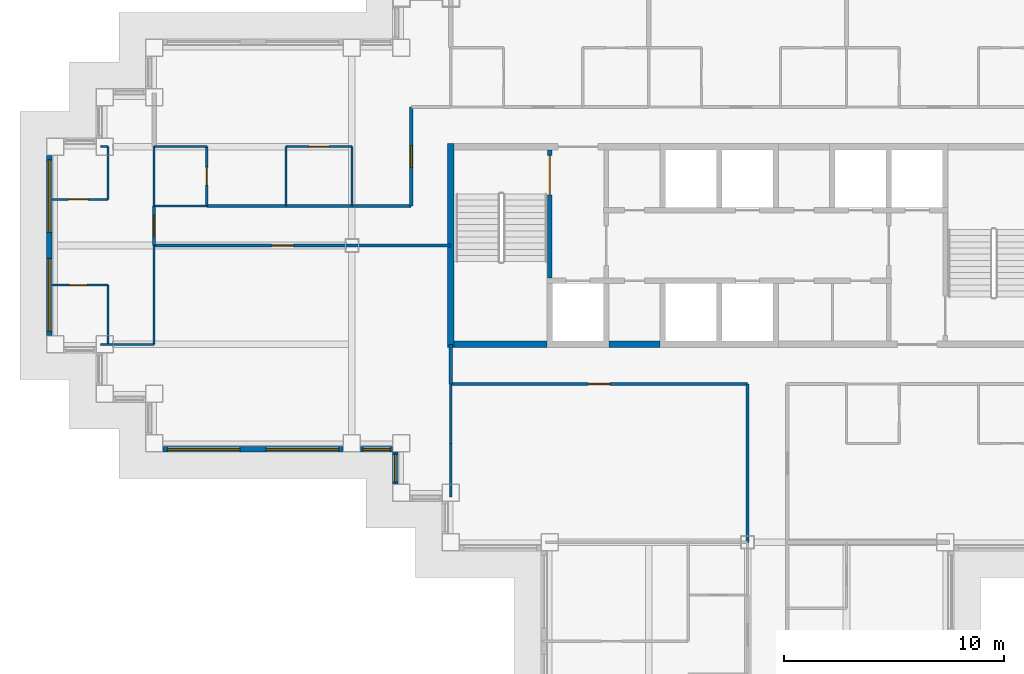
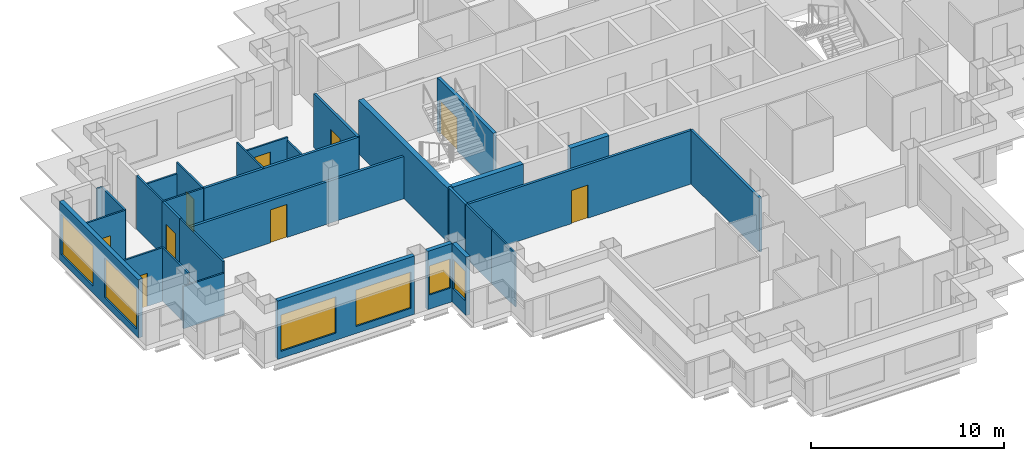
# One storey, part 4 of 13: 31 walls, 9 doors, 6 windows, 15 openings.
"""IFC4 building model written with IfcOpenShell, lengths in metres."""

from ifc_helpers import new_model, si_unit, direction, frame, frame_2d, origin, place, context, subcontext, project, spatial, rectangle, extrude, material, layer, layer_set, type_object, element, fill, save


model = new_model("IFC4")

# Units and contexts
model_context = context("Model", 3, precision=1e-05, world=origin(), true_north=direction((0.0, 1.0)))
body_context = subcontext(model_context, "Body", "Model", "MODEL_VIEW")
ifc_project = project(units=[si_unit("LENGTHUNIT", "METRE"), si_unit("AREAUNIT", "SQUARE_METRE"), si_unit("VOLUMEUNIT", "CUBIC_METRE"), si_unit("PLANEANGLEUNIT", "RADIAN"), si_unit("MASSUNIT", "GRAM", prefix="KILO")], contexts=[model_context])

# Site, building, storey
site_placement = place(None, origin())
site = spatial("IfcSite", under=ifc_project, at=site_placement, CompositionType="ELEMENT")
building_placement = place(site_placement, origin())
building = spatial("IfcBuilding", under=site, at=building_placement, Name="Caravel Reach Hotel and Residences", CompositionType="ELEMENT")
storey_placement = place(building_placement, frame((0.0, 0.0, 154.300048828125)))
storey = spatial("IfcBuildingStorey", under=building, at=storey_placement, Name="L38", CompositionType="ELEMENT", Elevation=154.300048828125)

# Wall, opening, door
ifc_material_1 = material(Name="Gypsum board on steel stud", Category="steel")
ifc_layer_1 = layer(ifc_material_1, 0.10009765625)
ifc_layer_set_1 = layer_set([ifc_layer_1], Name="Bathroom pod wall 100 mm")
wall_type_1 = type_object("IfcWallType", Name="Bathroom pod wall 100 mm", PredefinedType="PARTITIONING", material=ifc_layer_set_1)
wall_1_placement = place(storey_placement, frame((-0.14990234375, 25.199951171875, 0.0), z_axis=(0.0, 0.0, 1.0), x_axis=(1.0, 0.0, 0.0)))
wall_1 = element("IfcWall", 1, at=wall_1_placement, inside=storey, type_object=wall_type_1, Name="L38 wall w086", PredefinedType="PARTITIONING", context=body_context, shape_type="SweptSolid", body=[
    extrude(rectangle(XDim=2.5498046875, YDim=0.10009765625, at=frame_2d((1.27490234375, 0.0))), origin(), (0.0, 0.0, 1.0), 3.39990234375),
])
opening_1_placement = place(wall_1_placement, frame((0.800048828125, 0.0, 0.0)))
opening_1 = element("IfcOpeningElement", 2, at=opening_1_placement, cuts=wall_1, Name="Opening D38-047", PredefinedType="OPENING", context=body_context, shape_type="SweptSolid", body=[
    extrude(rectangle(XDim=0.800048828125, YDim=2.10009765625, at=frame_2d((0.39990234375, 1.050048828125))), frame((0.0, 0.06005859375, 0.0), z_axis=(0.0, -1.0, 0.0), x_axis=(1.0, 0.0, 0.0)), (0.0, 0.0, 1.0), 0.1201171875),
])
ifc_material_2 = material(Name="Timber and steel door leaf", Category="steel")
door_type_1 = type_object("IfcDoorType", Name="Bathroom door 800 x 2100", OperationType="SINGLE_SWING_LEFT", PredefinedType="DOOR", material=ifc_material_2)
door_1_placement = place(opening_1_placement, origin())
door_1 = element("IfcDoor", 3, at=door_1_placement, inside=storey, type_object=door_type_1, Name="door D38-047", OperationType="SINGLE_SWING_LEFT", OverallHeight=2.10009765625, OverallWidth=0.800048828125, PredefinedType="DOOR", context=body_context, shape_type="SweptSolid", body=[
    extrude(rectangle(XDim=0.800048828125, YDim=2.10009765625, at=frame_2d((0.39990234375, 1.050048828125))), frame((0.0, 0.02490234375, 0.0), z_axis=(0.0, -1.0, 0.0), x_axis=(1.0, 0.0, 0.0)), (0.0, 0.0, 1.0), 0.050048828125),
])
fill(opening_1, door_1)

# Walls
wall_2_placement = place(storey_placement, frame((4.5, 28.800048828125, 0.0), z_axis=(0.0, 0.0, 1.0), x_axis=(1.0, 0.0, 0.0)))
element("IfcWall", 4, at=wall_2_placement, inside=storey, type_object=wall_type_1, Name="L38 wall w087", PredefinedType="PARTITIONING", context=body_context, shape_type="SweptSolid", body=[
    extrude(rectangle(XDim=2.39990234375, YDim=0.10009765625, at=frame_2d((1.199951171875, 0.0))), origin(), (0.0, 0.0, 1.0), 3.39990234375),
])
wall_3_placement = place(storey_placement, frame((4.5, 31.5, 0.0), z_axis=(0.0, 0.0, 1.0), x_axis=(1.0, 0.0, 0.0)))
element("IfcWall", 5, at=wall_3_placement, inside=storey, type_object=wall_type_1, Name="L38 wall w088", PredefinedType="PARTITIONING", context=body_context, shape_type="SweptSolid", body=[
    extrude(rectangle(XDim=2.39990234375, YDim=0.10009765625, at=frame_2d((1.199951171875, 0.0))), origin(), (0.0, 0.0, 1.0), 2.679931640625),
])
for number, where, z_axis, x_axis, name in (
    (6, (2.39990234375, 22.5, 0.0), (0.0, 0.0, 1.0), (0.0, 1.0, 0.0), "L38 wall w098"),
    (7, (4.5, 28.800048828125, 0.0), (0.0, 0.0, 1.0), (0.0, 1.0, 0.0), "L38 wall w110"),
):
    element("IfcWall", number, at=place(storey_placement, frame(where, z_axis=z_axis, x_axis=x_axis)), inside=storey, type_object=wall_type_1, Name=name, PredefinedType="PARTITIONING", context=body_context, shape_type="SweptSolid", body=[
        extrude(rectangle(XDim=2.699951171875, YDim=0.10009765625, at=frame_2d((1.35009765625, 0.0))), origin(), (0.0, 0.0, 1.0), 3.39990234375),
    ])

# Wall, opening, door
wall_4_placement = place(storey_placement, frame((6.89990234375, 28.800048828125, 0.0), z_axis=(0.0, 0.0, 1.0), x_axis=(0.0, 1.0, 0.0)))
wall_4 = element("IfcWall", 8, at=wall_4_placement, inside=storey, type_object=wall_type_1, Name="L38 wall w113", PredefinedType="PARTITIONING", context=body_context, shape_type="SweptSolid", body=[
    extrude(rectangle(XDim=2.699951171875, YDim=0.10009765625, at=frame_2d((1.35009765625, 0.0))), origin(), (0.0, 0.0, 1.0), 3.39990234375),
])
opening_2_placement = place(wall_4_placement, frame((0.949951171875, 0.0, 0.0)))
opening_2 = element("IfcOpeningElement", 9, at=opening_2_placement, cuts=wall_4, Name="Opening D38-027", PredefinedType="OPENING", context=body_context, shape_type="SweptSolid", body=[
    extrude(rectangle(XDim=0.800048828125, YDim=2.10009765625, at=frame_2d((0.39990234375, 1.050048828125))), frame((0.0, 0.06005859375, 0.0), z_axis=(0.0, -1.0, 0.0), x_axis=(1.0, 0.0, 0.0)), (0.0, 0.0, 1.0), 0.1201171875),
])
door_2_placement = place(opening_2_placement, origin())
door_2 = element("IfcDoor", 10, at=door_2_placement, inside=storey, type_object=door_type_1, Name="door D38-027", OperationType="SINGLE_SWING_LEFT", OverallHeight=2.10009765625, OverallWidth=0.800048828125, PredefinedType="DOOR", context=body_context, shape_type="SweptSolid", body=[
    extrude(rectangle(XDim=0.800048828125, YDim=2.10009765625, at=frame_2d((0.39990234375, 1.050048828125))), frame((0.0, 0.02490234375, 0.0), z_axis=(0.0, -1.0, 0.0), x_axis=(1.0, 0.0, 0.0)), (0.0, 0.0, 1.0), 0.050048828125),
])
fill(opening_2, door_2)

# Walls
ifc_material_3 = material(Name="Concrete C60", Category="concrete")
ifc_layer_2 = layer(ifc_material_3, 0.300048828125)
ifc_layer_set_2 = layer_set([ifc_layer_2], Name="Core wall 300 mm EI 120")
wall_type_2 = type_object("IfcWallType", Name="Core wall 300 mm EI 120", PredefinedType="SHEAR", material=ifc_layer_set_2)
wall_5_placement = place(storey_placement, frame((18.14990234375, 22.5, 0.0), z_axis=(0.0, 0.0, 1.0), x_axis=(1.0, 0.0, 0.0)))
element("IfcWall", 11, at=wall_5_placement, inside=storey, type_object=wall_type_2, Name="L38 core wall S1", PredefinedType="SHEAR", context=body_context, shape_type="SweptSolid", body=[
    extrude(rectangle(XDim=4.22509765625, YDim=0.300048828125, at=frame_2d((2.112548828125, 0.0))), origin(), (0.0, 0.0, 1.0), 3.39990234375),
])
wall_6_placement = place(storey_placement, frame((25.196533203125, 22.5, 0.0), z_axis=(0.0, 0.0, 1.0), x_axis=(1.0, 0.0, 0.0)))
element("IfcWall", 12, at=wall_6_placement, inside=storey, type_object=wall_type_2, Name="L38 core wall S2", PredefinedType="SHEAR", context=body_context, shape_type="SweptSolid", body=[
    extrude(rectangle(XDim=2.3212890625, YDim=0.300048828125, at=frame_2d((1.16064453125, 0.0))), origin(), (0.0, 0.0, 1.0), 3.39990234375),
])
wall_7_placement = place(storey_placement, frame((18.0, 22.35009765625, 0.0), z_axis=(0.0, 0.0, 1.0), x_axis=(0.0, 1.0, 0.0)))
element("IfcWall", 13, at=wall_7_placement, inside=storey, type_object=wall_type_2, Name="L38 core wall W", PredefinedType="SHEAR", context=body_context, shape_type="SweptSolid", body=[
    extrude(rectangle(XDim=9.2998046875, YDim=0.300048828125, at=frame_2d((4.64990234375, 0.0))), origin(), (0.0, 0.0, 1.0), 3.39990234375),
])

# Wall, opening, door
ifc_material_4 = material(Name="Gypsum board on steel stud, fire-rated", Category="steel")
ifc_layer_3 = layer(ifc_material_4, 0.14990234375)
ifc_layer_set_3 = layer_set([ifc_layer_3], Name="Corridor wall 150 mm EI 60")
wall_type_3 = type_object("IfcWallType", Name="Corridor wall 150 mm EI 60", PredefinedType="PARTITIONING", material=ifc_layer_set_3)
wall_8_placement = place(storey_placement, frame((18.0, 20.699951171875, 0.0), z_axis=(0.0, 0.0, 1.0), x_axis=(1.0, 0.0, 0.0)))
wall_8 = element("IfcWall", 14, at=wall_8_placement, inside=storey, type_object=wall_type_3, Name="L38 wall w005", PredefinedType="PARTITIONING", context=body_context, shape_type="SweptSolid", body=[
    extrude(rectangle(XDim=13.5, YDim=0.14990234375, at=frame_2d((6.75, 0.0))), origin(), (0.0, 0.0, 1.0), 3.39990234375),
])
opening_3_placement = place(wall_8_placement, frame((6.25, 0.0, 0.0)))
opening_3 = element("IfcOpeningElement", 15, at=opening_3_placement, cuts=wall_8, Name="Opening D38-035", PredefinedType="OPENING", context=body_context, shape_type="SweptSolid", body=[
    extrude(rectangle(XDim=1.0, YDim=2.10009765625, at=frame_2d((0.5, 1.050048828125))), frame((0.0, 0.0849609375, 0.0), z_axis=(0.0, -1.0, 0.0), x_axis=(1.0, 0.0, 0.0)), (0.0, 0.0, 1.0), 0.169921875),
])
ifc_material_5 = material(Name="Steel fire door leaf", Category="steel")
door_type_2 = type_object("IfcDoorType", Name="Fire door 1000 x 2100 EI 60", OperationType="SINGLE_SWING_LEFT", PredefinedType="DOOR", material=ifc_material_5)
door_3_placement = place(opening_3_placement, origin())
door_3 = element("IfcDoor", 16, at=door_3_placement, inside=storey, type_object=door_type_2, Name="door D38-035", OperationType="SINGLE_SWING_LEFT", OverallHeight=2.10009765625, OverallWidth=1.0, PredefinedType="DOOR", context=body_context, shape_type="SweptSolid", body=[
    extrude(rectangle(XDim=1.0, YDim=2.10009765625, at=frame_2d((0.5, 1.050048828125))), frame((0.0, 0.02490234375, 0.0), z_axis=(0.0, -1.0, 0.0), x_axis=(1.0, 0.0, 0.0)), (0.0, 0.0, 1.0), 0.050048828125),
])
fill(opening_3, door_3)

wall_9_placement = place(storey_placement, frame((4.5, 27.0, 0.0), z_axis=(0.0, 0.0, 1.0), x_axis=(1.0, 0.0, 0.0)))
wall_9 = element("IfcWall", 17, at=wall_9_placement, inside=storey, type_object=wall_type_3, Name="L38 wall w009", PredefinedType="PARTITIONING", context=body_context, shape_type="SweptSolid", body=[
    extrude(rectangle(XDim=13.5, YDim=0.14990234375, at=frame_2d((6.75, 0.0))), origin(), (0.0, 0.0, 1.0), 2.679931640625),
])
opening_4_placement = place(wall_9_placement, frame((5.35009765625, 0.0, 0.0)))
opening_4 = element("IfcOpeningElement", 18, at=opening_4_placement, cuts=wall_9, Name="Opening D38-029", PredefinedType="OPENING", context=body_context, shape_type="SweptSolid", body=[
    extrude(rectangle(XDim=1.0, YDim=2.10009765625, at=frame_2d((0.5, 1.050048828125))), frame((0.0, 0.0849609375, 0.0), z_axis=(0.0, -1.0, 0.0), x_axis=(1.0, 0.0, 0.0)), (0.0, 0.0, 1.0), 0.169921875),
])
door_4_placement = place(opening_4_placement, origin())
door_4 = element("IfcDoor", 19, at=door_4_placement, inside=storey, type_object=door_type_2, Name="door D38-029", OperationType="SINGLE_SWING_LEFT", OverallHeight=2.10009765625, OverallWidth=1.0, PredefinedType="DOOR", context=body_context, shape_type="SweptSolid", body=[
    extrude(rectangle(XDim=1.0, YDim=2.10009765625, at=frame_2d((0.5, 1.050048828125))), frame((0.0, 0.02490234375, 0.0), z_axis=(0.0, -1.0, 0.0), x_axis=(1.0, 0.0, 0.0)), (0.0, 0.0, 1.0), 0.050048828125),
])
fill(opening_4, door_4)

# Wall
wall_10_placement = place(storey_placement, frame((6.89990234375, 28.800048828125, 0.0), z_axis=(0.0, 0.0, 1.0), x_axis=(1.0, 0.0, 0.0)))
element("IfcWall", 20, at=wall_10_placement, inside=storey, type_object=wall_type_3, Name="L38 wall w011", PredefinedType="PARTITIONING", context=body_context, shape_type="SweptSolid", body=[
    extrude(rectangle(XDim=9.299072265625, YDim=0.14990234375, at=frame_2d((4.6494140625, 0.0))), origin(), (0.0, 0.0, 1.0), 3.39990234375),
])

# Wall, opening, door
wall_11_placement = place(storey_placement, frame((16.199951171875, 28.801025390625, 0.0), z_axis=(0.0, 0.0, 1.0), x_axis=(0.0, 1.0, 0.0)))
wall_11 = element("IfcWall", 21, at=wall_11_placement, inside=storey, type_object=wall_type_3, Name="L38 wall w022", PredefinedType="PARTITIONING", context=body_context, shape_type="SweptSolid", body=[
    extrude(rectangle(XDim=4.4990234375, YDim=0.14990234375, at=frame_2d((2.24951171875, 0.0))), origin(), (0.0, 0.0, 1.0), 3.39990234375),
])
opening_5_placement = place(wall_11_placement, frame((1.74951171875, 0.0, 0.0)))
opening_5 = element("IfcOpeningElement", 22, at=opening_5_placement, cuts=wall_11, Name="Opening D38-026", PredefinedType="OPENING", context=body_context, shape_type="SweptSolid", body=[
    extrude(rectangle(XDim=1.0, YDim=2.199951171875, at=frame_2d((0.5, 1.10009765625))), frame((0.0, 0.0849609375, 0.0), z_axis=(0.0, -1.0, 0.0), x_axis=(1.0, 0.0, 0.0)), (0.0, 0.0, 1.0), 0.169921875),
])
ifc_material_6 = material(Name="Steel fire door leaf", Category="steel")
door_type_3 = type_object("IfcDoorType", Name="Flat entrance door 1000 x 2200 EI 60", OperationType="SINGLE_SWING_LEFT", PredefinedType="DOOR", material=ifc_material_6)
door_5_placement = place(opening_5_placement, origin())
door_5 = element("IfcDoor", 23, at=door_5_placement, inside=storey, type_object=door_type_3, Name="door D38-026", OperationType="SINGLE_SWING_LEFT", OverallHeight=2.199951171875, OverallWidth=1.0, PredefinedType="DOOR", context=body_context, shape_type="SweptSolid", body=[
    extrude(rectangle(XDim=1.0, YDim=2.199951171875, at=frame_2d((0.5, 1.10009765625))), frame((0.0, 0.02490234375, 0.0), z_axis=(0.0, -1.0, 0.0), x_axis=(1.0, 0.0, 0.0)), (0.0, 0.0, 1.0), 0.050048828125),
])
fill(opening_5, door_5)

# Walls
wall_12_placement = place(storey_placement, frame((18.0, 20.699951171875, 0.0), z_axis=(0.0, 0.0, 1.0), x_axis=(0.0, 1.0, 0.0)))
element("IfcWall", 24, at=wall_12_placement, inside=storey, type_object=wall_type_3, Name="L38 wall w023", PredefinedType="PARTITIONING", context=body_context, shape_type="SweptSolid", body=[
    extrude(rectangle(XDim=1.800048828125, YDim=0.14990234375, at=frame_2d((0.89990234375, 0.0))), origin(), (0.0, 0.0, 1.0), 3.39990234375),
])
wall_13_placement = place(storey_placement, frame((31.5, 13.5, 0.0), z_axis=(0.0, 0.0, 1.0), x_axis=(0.0, 1.0, 0.0)))
element("IfcWall", 25, at=wall_13_placement, inside=storey, type_object=wall_type_3, Name="L38 wall w026", PredefinedType="PARTITIONING", context=body_context, shape_type="SweptSolid", body=[
    extrude(rectangle(XDim=7.199951171875, YDim=0.14990234375, at=frame_2d((3.60009765625, 0.0))), origin(), (0.0, 0.0, 1.0), 3.39990234375),
])

# Wall, opening, door
wall_14_placement = place(storey_placement, frame((4.5, 27.0, 0.0), z_axis=(0.0, 0.0, 1.0), x_axis=(0.0, 1.0, 0.0)))
wall_14 = element("IfcWall", 26, at=wall_14_placement, inside=storey, type_object=wall_type_3, Name="L38 wall w030", PredefinedType="PARTITIONING", context=body_context, shape_type="SweptSolid", body=[
    extrude(rectangle(XDim=1.800048828125, YDim=0.14990234375, at=frame_2d((0.89990234375, 0.0))), origin(), (0.0, 0.0, 1.0), 3.39990234375),
])
opening_6_placement = place(wall_14_placement, frame((0.39990234375, 0.0, 0.0)))
opening_6 = element("IfcOpeningElement", 27, at=opening_6_placement, cuts=wall_14, Name="Opening D38-046", PredefinedType="OPENING", context=body_context, shape_type="SweptSolid", body=[
    extrude(rectangle(XDim=1.0, YDim=2.199951171875, at=frame_2d((0.5, 1.10009765625))), frame((0.0, 0.0849609375, 0.0), z_axis=(0.0, -1.0, 0.0), x_axis=(1.0, 0.0, 0.0)), (0.0, 0.0, 1.0), 0.169921875),
])
door_6_placement = place(opening_6_placement, origin())
door_6 = element("IfcDoor", 28, at=door_6_placement, inside=storey, type_object=door_type_3, Name="door D38-046", OperationType="SINGLE_SWING_LEFT", OverallHeight=2.199951171875, OverallWidth=1.0, PredefinedType="DOOR", context=body_context, shape_type="SweptSolid", body=[
    extrude(rectangle(XDim=1.0, YDim=2.199951171875, at=frame_2d((0.5, 1.10009765625))), frame((0.0, 0.02490234375, 0.0), z_axis=(0.0, -1.0, 0.0), x_axis=(1.0, 0.0, 0.0)), (0.0, 0.0, 1.0), 0.050048828125),
])
fill(opening_6, door_6)

# Wall, openings, windows
ifc_material_7 = material(Name="Insulated rainscreen wall, aluminium cladding", Category="aluminium")
ifc_layer_4 = layer(ifc_material_7, 0.25)
ifc_layer_set_4 = layer_set([ifc_layer_4], Name="EW1 Tower rainscreen wall")
wall_type_4 = type_object("IfcWallType", Name="EW1 Tower rainscreen wall", PredefinedType="SOLIDWALL", material=ifc_layer_set_4)
wall_15_placement = place(storey_placement, frame((-0.27490234375, 31.10009765625, 0.0), z_axis=(0.0, 0.0, 1.0), x_axis=(0.0, -1.0, 0.0)))
wall_15 = element("IfcWall", 29, at=wall_15_placement, inside=storey, type_object=wall_type_4, Name="External wall L38 W38.1", PredefinedType="SOLIDWALL", context=body_context, shape_type="SweptSolid", body=[
    extrude(rectangle(XDim=8.2001953125, YDim=0.25, at=frame_2d((4.10009765625, 0.0))), origin(), (0.0, 0.0, 1.0), 3.699951171875),
])
opening_7_placement = place(wall_15_placement, frame((0.199951171875, 0.0, 0.449951171875)))
opening_7 = element("IfcOpeningElement", 30, at=opening_7_placement, cuts=wall_15, Name="Opening WN14", PredefinedType="OPENING", context=body_context, shape_type="SweptSolid", body=[
    extrude(rectangle(XDim=3.300048828125, YDim=2.530029296875, at=frame_2d((1.64990234375, 1.26513671875))), frame((0.0, 0.135009765625, 0.0), z_axis=(0.0, -1.0, 0.0), x_axis=(1.0, 0.0, 0.0)), (0.0, 0.0, 1.0), 0.27001953125),
])
opening_8_placement = place(wall_15_placement, frame((4.699951171875, 0.0, 0.449951171875)))
opening_8 = element("IfcOpeningElement", 31, at=opening_8_placement, cuts=wall_15, Name="Opening WN14", PredefinedType="OPENING", context=body_context, shape_type="SweptSolid", body=[
    extrude(rectangle(XDim=3.300048828125, YDim=2.530029296875, at=frame_2d((1.64990234375, 1.26513671875))), frame((0.0, 0.135009765625, 0.0), z_axis=(0.0, -1.0, 0.0), x_axis=(1.0, 0.0, 0.0)), (0.0, 0.0, 1.0), 0.27001953125),
])
ifc_material_8 = material(Name="Dark low-e glazing in black aluminium frame", Category="aluminium")
window_type_1 = type_object("IfcWindowType", Name="Residence living window 3300 x 2530", PartitioningType="SINGLE_PANEL", PredefinedType="WINDOW", material=ifc_material_8)
window_1_placement = place(opening_7_placement, origin())
window_1 = element("IfcWindow", 32, at=window_1_placement, inside=storey, type_object=window_type_1, Name="Window L38 W38.1.1", OverallHeight=2.530029296875, OverallWidth=3.300048828125, PartitioningType="SINGLE_PANEL", PredefinedType="WINDOW", context=body_context, shape_type="SweptSolid", body=[
    extrude(rectangle(XDim=3.300048828125, YDim=2.530029296875, at=frame_2d((1.64990234375, 1.26513671875))), frame((0.0, 0.030029296875, 0.0), z_axis=(0.0, -1.0, 0.0), x_axis=(1.0, 0.0, 0.0)), (0.0, 0.0, 1.0), 0.06005859375),
])
fill(opening_7, window_1)
window_2_placement = place(opening_8_placement, origin())
window_2 = element("IfcWindow", 33, at=window_2_placement, inside=storey, type_object=window_type_1, Name="Window L38 W38.1.2", OverallHeight=2.530029296875, OverallWidth=3.300048828125, PartitioningType="SINGLE_PANEL", PredefinedType="WINDOW", context=body_context, shape_type="SweptSolid", body=[
    extrude(rectangle(XDim=3.300048828125, YDim=2.530029296875, at=frame_2d((1.64990234375, 1.26513671875))), frame((0.0, 0.030029296875, 0.0), z_axis=(0.0, -1.0, 0.0), x_axis=(1.0, 0.0, 0.0)), (0.0, 0.0, 1.0), 0.06005859375),
])
fill(opening_8, window_2)

wall_16_placement = place(storey_placement, frame((4.89990234375, 17.72509765625, 0.0), z_axis=(0.0, 0.0, 1.0), x_axis=(1.0, 0.0, 0.0)))
wall_16 = element("IfcWall", 34, at=wall_16_placement, inside=storey, type_object=wall_type_4, Name="External wall L38 S43.1", PredefinedType="SOLIDWALL", context=body_context, shape_type="SweptSolid", body=[
    extrude(rectangle(XDim=8.2001953125, YDim=0.25, at=frame_2d((4.10009765625, 0.0))), origin(), (0.0, 0.0, 1.0), 3.699951171875),
])
opening_9_placement = place(wall_16_placement, frame((0.199951171875, 0.0, 0.449951171875)))
opening_9 = element("IfcOpeningElement", 35, at=opening_9_placement, cuts=wall_16, Name="Opening WN15", PredefinedType="OPENING", context=body_context, shape_type="SweptSolid", body=[
    extrude(rectangle(XDim=3.300048828125, YDim=2.300048828125, at=frame_2d((1.64990234375, 1.14990234375))), frame((0.0, 0.135009765625, 0.0), z_axis=(0.0, -1.0, 0.0), x_axis=(1.0, 0.0, 0.0)), (0.0, 0.0, 1.0), 0.27001953125),
])
opening_10_placement = place(wall_16_placement, frame((4.699951171875, 0.0, 0.449951171875)))
opening_10 = element("IfcOpeningElement", 36, at=opening_10_placement, cuts=wall_16, Name="Opening WN15", PredefinedType="OPENING", context=body_context, shape_type="SweptSolid", body=[
    extrude(rectangle(XDim=3.300048828125, YDim=2.300048828125, at=frame_2d((1.64990234375, 1.14990234375))), frame((0.0, 0.135009765625, 0.0), z_axis=(0.0, -1.0, 0.0), x_axis=(1.0, 0.0, 0.0)), (0.0, 0.0, 1.0), 0.27001953125),
])
ifc_material_9 = material(Name="Dark low-e glazing in black aluminium frame", Category="aluminium")
window_type_2 = type_object("IfcWindowType", Name="Residence living window 3300 x 2300", PartitioningType="SINGLE_PANEL", PredefinedType="WINDOW", material=ifc_material_9)
window_3_placement = place(opening_9_placement, origin())
window_3 = element("IfcWindow", 37, at=window_3_placement, inside=storey, type_object=window_type_2, Name="Window L38 S43.1.1", OverallHeight=2.300048828125, OverallWidth=3.300048828125, PartitioningType="SINGLE_PANEL", PredefinedType="WINDOW", context=body_context, shape_type="SweptSolid", body=[
    extrude(rectangle(XDim=3.300048828125, YDim=2.300048828125, at=frame_2d((1.64990234375, 1.14990234375))), frame((0.0, 0.030029296875, 0.0), z_axis=(0.0, -1.0, 0.0), x_axis=(1.0, 0.0, 0.0)), (0.0, 0.0, 1.0), 0.06005859375),
])
fill(opening_9, window_3)
window_4_placement = place(opening_10_placement, origin())
window_4 = element("IfcWindow", 38, at=window_4_placement, inside=storey, type_object=window_type_2, Name="Window L38 S43.1.2", OverallHeight=2.300048828125, OverallWidth=3.300048828125, PartitioningType="SINGLE_PANEL", PredefinedType="WINDOW", context=body_context, shape_type="SweptSolid", body=[
    extrude(rectangle(XDim=3.300048828125, YDim=2.300048828125, at=frame_2d((1.64990234375, 1.14990234375))), frame((0.0, 0.030029296875, 0.0), z_axis=(0.0, -1.0, 0.0), x_axis=(1.0, 0.0, 0.0)), (0.0, 0.0, 1.0), 0.06005859375),
])
fill(opening_10, window_4)

# Wall, opening, window
wall_17_placement = place(storey_placement, frame((13.89990234375, 17.72509765625, 0.0), z_axis=(0.0, 0.0, 1.0), x_axis=(1.0, 0.0, 0.0)))
wall_17 = element("IfcWall", 39, at=wall_17_placement, inside=storey, type_object=wall_type_4, Name="External wall L38 S43.2", PredefinedType="SOLIDWALL", context=body_context, shape_type="SweptSolid", body=[
    extrude(rectangle(XDim=1.4501953125, YDim=0.25, at=frame_2d((0.72509765625, 0.0))), origin(), (0.0, 0.0, 1.0), 3.699951171875),
])
opening_11_placement = place(wall_17_placement, frame((0.10009765625, 0.0, 0.89990234375)))
opening_11 = element("IfcOpeningElement", 40, at=opening_11_placement, cuts=wall_17, Name="Opening WN13", PredefinedType="OPENING", context=body_context, shape_type="SweptSolid", body=[
    extrude(rectangle(XDim=1.25, YDim=1.85009765625, at=frame_2d((0.625, 0.925048828125))), frame((0.0, 0.135009765625, 0.0), z_axis=(0.0, -1.0, 0.0), x_axis=(1.0, 0.0, 0.0)), (0.0, 0.0, 1.0), 0.27001953125),
])
ifc_material_10 = material(Name="Dark low-e glazing in black aluminium frame", Category="aluminium")
window_type_3 = type_object("IfcWindowType", Name="Residence bedroom window 1250 x 1850", PartitioningType="SINGLE_PANEL", PredefinedType="WINDOW", material=ifc_material_10)
window_5_placement = place(opening_11_placement, origin())
window_5 = element("IfcWindow", 41, at=window_5_placement, inside=storey, type_object=window_type_3, Name="Window L38 S43.2.1", OverallHeight=1.85009765625, OverallWidth=1.25, PartitioningType="SINGLE_PANEL", PredefinedType="WINDOW", context=body_context, shape_type="SweptSolid", body=[
    extrude(rectangle(XDim=1.25, YDim=1.85009765625, at=frame_2d((0.625, 0.925048828125))), frame((0.0, 0.030029296875, 0.0), z_axis=(0.0, -1.0, 0.0), x_axis=(1.0, 0.0, 0.0)), (0.0, 0.0, 1.0), 0.06005859375),
])
fill(opening_11, window_5)

wall_18_placement = place(storey_placement, frame((15.47509765625, 17.60009765625, 0.0), z_axis=(0.0, 0.0, 1.0), x_axis=(0.0, -1.0, 0.0)))
wall_18 = element("IfcWall", 42, at=wall_18_placement, inside=storey, type_object=wall_type_4, Name="External wall L38 W44.1", PredefinedType="SOLIDWALL", context=body_context, shape_type="SweptSolid", body=[
    extrude(rectangle(XDim=1.4501953125, YDim=0.25, at=frame_2d((0.72509765625, 0.0))), origin(), (0.0, 0.0, 1.0), 3.699951171875),
])
opening_12_placement = place(wall_18_placement, frame((0.10009765625, 0.0, 0.89990234375)))
opening_12 = element("IfcOpeningElement", 43, at=opening_12_placement, cuts=wall_18, Name="Opening WN13", PredefinedType="OPENING", context=body_context, shape_type="SweptSolid", body=[
    extrude(rectangle(XDim=1.25, YDim=1.85009765625, at=frame_2d((0.625, 0.925048828125))), frame((0.0, 0.135009765625, 0.0), z_axis=(0.0, -1.0, 0.0), x_axis=(1.0, 0.0, 0.0)), (0.0, 0.0, 1.0), 0.27001953125),
])
window_6_placement = place(opening_12_placement, origin())
window_6 = element("IfcWindow", 44, at=window_6_placement, inside=storey, type_object=window_type_3, Name="Window L38 W44.1.1", OverallHeight=1.85009765625, OverallWidth=1.25, PartitioningType="SINGLE_PANEL", PredefinedType="WINDOW", context=body_context, shape_type="SweptSolid", body=[
    extrude(rectangle(XDim=1.25, YDim=1.85009765625, at=frame_2d((0.625, 0.925048828125))), frame((0.0, 0.030029296875, 0.0), z_axis=(0.0, -1.0, 0.0), x_axis=(1.0, 0.0, 0.0)), (0.0, 0.0, 1.0), 0.06005859375),
])
fill(opening_12, window_6)

# Wall
ifc_material_11 = material(Name="Gypsum board on steel stud", Category="steel")
ifc_layer_5 = layer(ifc_material_11, 0.10009765625)
ifc_layer_set_5 = layer_set([ifc_layer_5], Name="Partition 100 mm")
wall_type_5 = type_object("IfcWallType", Name="Partition 100 mm", PredefinedType="PARTITIONING", material=ifc_layer_set_5)
wall_19_placement = place(storey_placement, frame((2.06005859375, 22.5, 0.0), z_axis=(0.0, 0.0, 1.0), x_axis=(1.0, 0.0, 0.0)))
element("IfcWall", 45, at=wall_19_placement, inside=storey, type_object=wall_type_5, Name="L38 wall w039", PredefinedType="PARTITIONING", context=body_context, shape_type="SweptSolid", body=[
    extrude(rectangle(XDim=2.43896484375, YDim=0.10009765625, at=frame_2d((1.219482421875, 0.0))), origin(), (0.0, 0.0, 1.0), 2.679931640625),
])

# Wall, opening, door
wall_20_placement = place(storey_placement, frame((-0.14990234375, 29.10009765625, 0.0), z_axis=(0.0, 0.0, 1.0), x_axis=(1.0, 0.0, 0.0)))
wall_20 = element("IfcWall", 46, at=wall_20_placement, inside=storey, type_object=wall_type_5, Name="L38 wall w040", PredefinedType="PARTITIONING", context=body_context, shape_type="SweptSolid", body=[
    extrude(rectangle(XDim=2.5498046875, YDim=0.10009765625, at=frame_2d((1.27490234375, 0.0))), origin(), (0.0, 0.0, 1.0), 3.39990234375),
])
opening_13_placement = place(wall_20_placement, frame((0.75, 0.0, 0.0)))
opening_13 = element("IfcOpeningElement", 47, at=opening_13_placement, cuts=wall_20, Name="Opening D38-048", PredefinedType="OPENING", context=body_context, shape_type="SweptSolid", body=[
    extrude(rectangle(XDim=0.89990234375, YDim=2.10009765625, at=frame_2d((0.449951171875, 1.050048828125))), frame((0.0, 0.06005859375, 0.0), z_axis=(0.0, -1.0, 0.0), x_axis=(1.0, 0.0, 0.0)), (0.0, 0.0, 1.0), 0.1201171875),
])
ifc_material_12 = material(Name="Timber and steel door leaf", Category="steel")
door_type_4 = type_object("IfcDoorType", Name="Door 900 x 2100 timber", OperationType="SINGLE_SWING_LEFT", PredefinedType="DOOR", material=ifc_material_12)
door_7_placement = place(opening_13_placement, origin())
door_7 = element("IfcDoor", 48, at=door_7_placement, inside=storey, type_object=door_type_4, Name="door D38-048", OperationType="SINGLE_SWING_LEFT", OverallHeight=2.10009765625, OverallWidth=0.89990234375, PredefinedType="DOOR", context=body_context, shape_type="SweptSolid", body=[
    extrude(rectangle(XDim=0.89990234375, YDim=2.10009765625, at=frame_2d((0.449951171875, 1.050048828125))), frame((0.0, 0.02490234375, 0.0), z_axis=(0.0, -1.0, 0.0), x_axis=(1.0, 0.0, 0.0)), (0.0, 0.0, 1.0), 0.050048828125),
])
fill(opening_13, door_7)

wall_21_placement = place(storey_placement, frame((10.5, 31.5, 0.0), z_axis=(0.0, 0.0, 1.0), x_axis=(1.0, 0.0, 0.0)))
wall_21 = element("IfcWall", 49, at=wall_21_placement, inside=storey, type_object=wall_type_5, Name="L38 wall w042", PredefinedType="PARTITIONING", context=body_context, shape_type="SweptSolid", body=[
    extrude(rectangle(XDim=3.0, YDim=0.10009765625, at=frame_2d((1.5, 0.0))), origin(), (0.0, 0.0, 1.0), 2.679931640625),
])
opening_14_placement = place(wall_21_placement, frame((1.050048828125, 0.0, 0.0)))
opening_14 = element("IfcOpeningElement", 50, at=opening_14_placement, cuts=wall_21, Name="Opening D38-028", PredefinedType="OPENING", context=body_context, shape_type="SweptSolid", body=[
    extrude(rectangle(XDim=0.89990234375, YDim=2.10009765625, at=frame_2d((0.449951171875, 1.050048828125))), frame((0.0, 0.06005859375, 0.0), z_axis=(0.0, -1.0, 0.0), x_axis=(1.0, 0.0, 0.0)), (0.0, 0.0, 1.0), 0.1201171875),
])
door_8_placement = place(opening_14_placement, origin())
door_8 = element("IfcDoor", 51, at=door_8_placement, inside=storey, type_object=door_type_4, Name="door D38-028", OperationType="SINGLE_SWING_RIGHT", OverallHeight=2.10009765625, OverallWidth=0.89990234375, PredefinedType="DOOR", context=body_context, shape_type="SweptSolid", body=[
    extrude(rectangle(XDim=0.89990234375, YDim=2.10009765625, at=frame_2d((0.449951171875, 1.050048828125))), frame((0.0, 0.02490234375, 0.0), z_axis=(0.0, -1.0, 0.0), x_axis=(1.0, 0.0, 0.0)), (0.0, 0.0, 1.0), 0.050048828125),
])
fill(opening_14, door_8)

# Walls
wall_22_placement = place(storey_placement, frame((2.06005859375, 31.5, 0.0), z_axis=(0.0, 0.0, 1.0), x_axis=(1.0, 0.0, 0.0)))
element("IfcWall", 52, at=wall_22_placement, inside=storey, type_object=wall_type_5, Name="L38 wall w043", PredefinedType="PARTITIONING", context=body_context, shape_type="SweptSolid", body=[
    extrude(rectangle(XDim=0.33984375, YDim=0.10009765625, at=frame_2d((0.169921875, 0.0))), origin(), (0.0, 0.0, 1.0), 3.39990234375),
])
wall_23_placement = place(storey_placement, frame((10.5, 28.800048828125, 0.0), z_axis=(0.0, 0.0, 1.0), x_axis=(0.0, 1.0, 0.0)))
element("IfcWall", 53, at=wall_23_placement, inside=storey, type_object=wall_type_5, Name="L38 wall w053", PredefinedType="PARTITIONING", context=body_context, shape_type="SweptSolid", body=[
    extrude(rectangle(XDim=2.699951171875, YDim=0.10009765625, at=frame_2d((1.35009765625, 0.0))), origin(), (0.0, 0.0, 1.0), 3.39990234375),
])
wall_24_placement = place(storey_placement, frame((13.5, 28.801025390625, 0.0), z_axis=(0.0, 0.0, 1.0), x_axis=(0.0, 1.0, 0.0)))
element("IfcWall", 54, at=wall_24_placement, inside=storey, type_object=wall_type_5, Name="L38 wall w054", PredefinedType="PARTITIONING", context=body_context, shape_type="SweptSolid", body=[
    extrude(rectangle(XDim=2.698974609375, YDim=0.10009765625, at=frame_2d((1.349609375, 0.0))), origin(), (0.0, 0.0, 1.0), 2.47998046875),
])
wall_25_placement = place(storey_placement, frame((18.0, 15.56005859375, 0.0), z_axis=(0.0, 0.0, 1.0), x_axis=(0.0, 1.0, 0.0)))
element("IfcWall", 55, at=wall_25_placement, inside=storey, type_object=wall_type_5, Name="L38 wall w055", PredefinedType="PARTITIONING", context=body_context, shape_type="SweptSolid", body=[
    extrude(rectangle(XDim=2.43896484375, YDim=0.10009765625, at=frame_2d((1.219482421875, 0.0))), origin(), (0.0, 0.0, 1.0), 3.39990234375),
])
wall_26_placement = place(storey_placement, frame((18.0, 18.0, 0.0), z_axis=(0.0, 0.0, 1.0), x_axis=(0.0, 1.0, 0.0)))
element("IfcWall", 56, at=wall_26_placement, inside=storey, type_object=wall_type_5, Name="L38 wall w056", PredefinedType="PARTITIONING", context=body_context, shape_type="SweptSolid", body=[
    extrude(rectangle(XDim=2.699951171875, YDim=0.10009765625, at=frame_2d((1.35009765625, 0.0))), origin(), (0.0, 0.0, 1.0), 3.39990234375),
])
wall_27_placement = place(storey_placement, frame((2.39990234375, 29.10009765625, 0.0), z_axis=(0.0, 0.0, 1.0), x_axis=(0.0, 1.0, 0.0)))
element("IfcWall", 57, at=wall_27_placement, inside=storey, type_object=wall_type_5, Name="L38 wall w057", PredefinedType="PARTITIONING", context=body_context, shape_type="SweptSolid", body=[
    extrude(rectangle(XDim=2.39990234375, YDim=0.10009765625, at=frame_2d((1.199951171875, 0.0))), origin(), (0.0, 0.0, 1.0), 3.39990234375),
])
wall_28_placement = place(storey_placement, frame((4.5, 22.5, 0.0), z_axis=(0.0, 0.0, 1.0), x_axis=(0.0, 1.0, 0.0)))
element("IfcWall", 58, at=wall_28_placement, inside=storey, type_object=wall_type_5, Name="L38 wall w063", PredefinedType="PARTITIONING", context=body_context, shape_type="SweptSolid", body=[
    extrude(rectangle(XDim=4.5, YDim=0.10009765625, at=frame_2d((2.25, 0.0))), origin(), (0.0, 0.0, 1.0), 3.39990234375),
])

# Wall, opening, door
ifc_material_13 = material(Name="Concrete C60", Category="concrete")
ifc_layer_6 = layer(ifc_material_13, 0.199951171875)
ifc_layer_set_6 = layer_set([ifc_layer_6], Name="Stair enclosure wall 200 mm EI 120")
wall_type_6 = type_object("IfcWallType", Name="Stair enclosure wall 200 mm EI 120", PredefinedType="SHEAR", material=ifc_layer_set_6)
wall_29_placement = place(storey_placement, frame((22.5, 31.35009765625, 0.0), z_axis=(0.0, 0.0, 1.0), x_axis=(0.0, -1.0, 0.0)))
wall_29 = element("IfcWall", 59, at=wall_29_placement, inside=storey, type_object=wall_type_6, Name="L38 stair A wall", PredefinedType="SHEAR", context=body_context, shape_type="SweptSolid", body=[
    extrude(rectangle(XDim=5.8251953125, YDim=0.199951171875, at=frame_2d((2.91259765625, 0.0))), origin(), (0.0, 0.0, 1.0), 3.39990234375),
])
opening_15_placement = place(wall_29_placement, frame((0.25, 0.0, 0.0)))
opening_15 = element("IfcOpeningElement", 60, at=opening_15_placement, cuts=wall_29, Name="Opening D38-011", PredefinedType="OPENING", context=body_context, shape_type="SweptSolid", body=[
    extrude(rectangle(XDim=1.800048828125, YDim=2.10009765625, at=frame_2d((0.89990234375, 1.050048828125))), frame((0.0, 0.10986328125, 0.0), z_axis=(0.0, -1.0, 0.0), x_axis=(1.0, 0.0, 0.0)), (0.0, 0.0, 1.0), 0.219970703125),
])
ifc_material_14 = material(Name="Steel fire door leaf", Category="steel")
door_type_5 = type_object("IfcDoorType", Name="Stair door pair 1800 x 2100 EI 90", OperationType="DOUBLE_DOOR_SINGLE_SWING", PredefinedType="DOOR", material=ifc_material_14)
door_9_placement = place(opening_15_placement, origin())
door_9 = element("IfcDoor", 61, at=door_9_placement, inside=storey, type_object=door_type_5, Name="stair A door pair", OperationType="DOUBLE_DOOR_SINGLE_SWING", OverallHeight=2.10009765625, OverallWidth=1.800048828125, PredefinedType="DOOR", context=body_context, shape_type="SweptSolid", body=[
    extrude(rectangle(XDim=1.800048828125, YDim=2.10009765625, at=frame_2d((0.89990234375, 1.050048828125))), frame((0.0, 0.02490234375, 0.0), z_axis=(0.0, -1.0, 0.0), x_axis=(1.0, 0.0, 0.0)), (0.0, 0.0, 1.0), 0.050048828125),
])
fill(opening_15, door_9)

save(model, "model.ifc")
